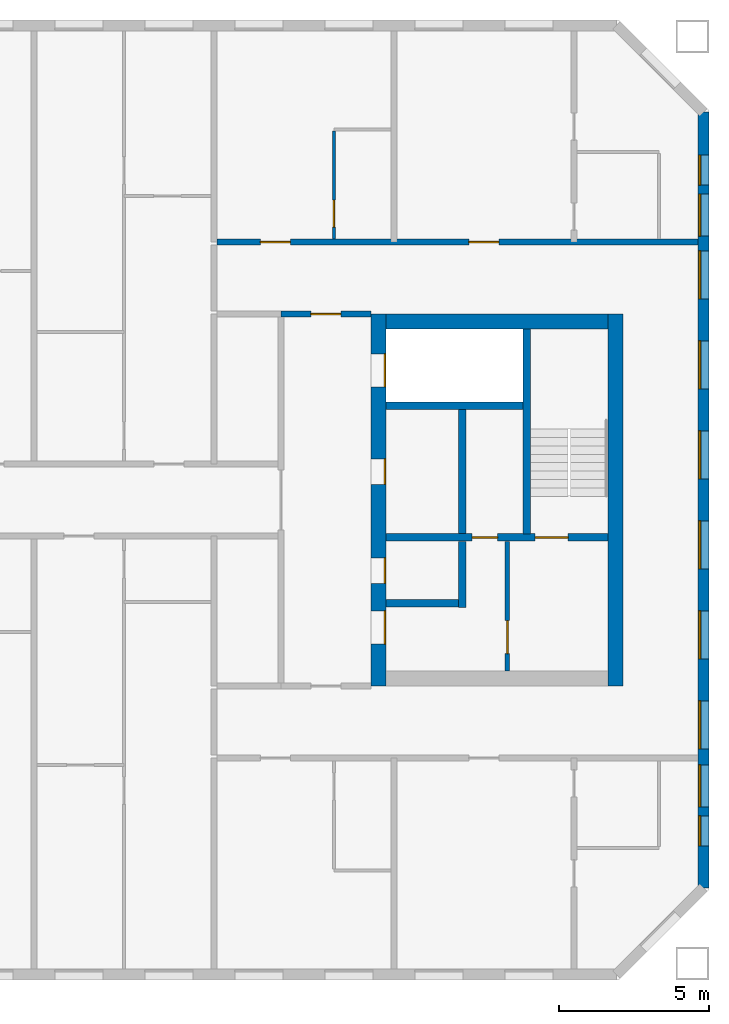
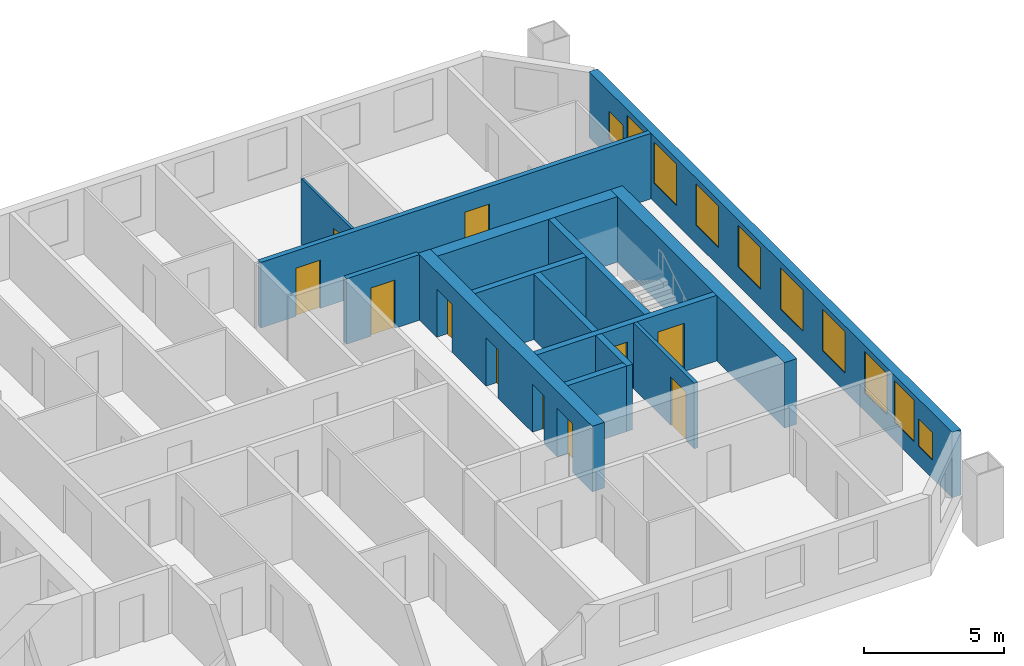
# One storey, part 12 of 15: 14 walls, 11 doors, 10 windows, 21 openings.
"""IFC4 building model written with IfcOpenShell, lengths in metres."""

import ifcopenshell
import ifcopenshell.guid

model = None  # the IFC model being written
_history = None  # IfcOwnerHistory: only IFC2X3 demands one
_inside = {}  # id of a spatial element -> (the spatial element, [elements in it])
_under = {}  # id of a project, library or spatial element -> (it, [spatial elements below it])
_declared = {}  # id of a project -> (the project, [libraries it declares])
_typed = {}  # id of a type object -> (the type object, [elements of that type])
_made_of = {}  # id of a material, layer set ... -> (it, [elements and type objects made of it])


def new_model(schema):
    """Start an empty IFC model of exactly this schema.

    Asked for "IFC4X3", IfcOpenShell would pick the latest addendum, in which some entities
    have other attributes; the version numbers below select the first issue.
    IFC2X3 requires an IfcOwnerHistory on every rooted entity: one is made here for all.
    """
    global model, _history
    if schema == "IFC4X3":
        model = ifcopenshell.file(schema_version=(4, 3, 0, 0))
    else:
        model = ifcopenshell.file(schema=schema)
    _inside.clear()
    _under.clear()
    _declared.clear()
    _typed.clear()
    _made_of.clear()
    _history = None
    if model.schema == "IFC2X3":
        org = make("IfcOrganization", Name="unknown")
        user = make(
            "IfcPersonAndOrganization",
            ThePerson=make("IfcPerson", FamilyName="unknown"),
            TheOrganization=org,
        )
        app = make(
            "IfcApplication",
            ApplicationDeveloper=org,
            Version="unknown",
            ApplicationFullName="unknown",
            ApplicationIdentifier="unknown",
        )
        _history = make(
            "IfcOwnerHistory",
            OwningUser=user,
            OwningApplication=app,
            ChangeAction="ADDED",
            CreationDate=0,
        )
    return model


def make(cls, **values):
    """One entity of the class cls with the attributes given. An attribute that is None is left unset."""
    return model.create_entity(
        cls, **{name: value for name, value in values.items() if value is not None}
    )


def rooted(cls, **values):
    """An entity with a GlobalId (a new one), such as an element, a storey or a relation."""
    return make(cls, GlobalId=ifcopenshell.guid.new(), OwnerHistory=_history, **values)


def si_unit(unit_type, name, prefix=None):
    """IfcSIUnit, for example si_unit("LENGTHUNIT", "METRE", prefix="MILLI")."""
    return make("IfcSIUnit", UnitType=unit_type, Prefix=prefix, Name=name)


def assignment(units):
    """IfcUnitAssignment: the units of a project."""
    return None if units is None else make("IfcUnitAssignment", Units=units)


def point(xyz):
    """IfcCartesianPoint."""
    return None if xyz is None else make("IfcCartesianPoint", Coordinates=xyz)


def direction(xyz):
    """IfcDirection."""
    return None if xyz is None else make("IfcDirection", DirectionRatios=xyz)


def frame(location, z_axis=None, x_axis=None):
    """IfcAxis2Placement3D, a coordinate frame: its origin and axes. An axis left out is left unset."""
    return make(
        "IfcAxis2Placement3D",
        Location=point(location),
        Axis=direction(z_axis),
        RefDirection=direction(x_axis),
    )


def frame_2d(location, x_axis=None):
    """IfcAxis2Placement2D, a coordinate frame in the plane: its origin and x axis."""
    return make(
        "IfcAxis2Placement2D", Location=point(location), RefDirection=direction(x_axis)
    )


def origin():
    """The frame at (0, 0, 0) with its axes left unset."""
    return frame((0.0, 0.0, 0.0))


def place(relative_to, where):
    """IfcLocalPlacement: puts the frame where relative to a parent placement (None: the world)."""
    return make(
        "IfcLocalPlacement", PlacementRelTo=relative_to, RelativePlacement=where
    )


def context(
    kind, dimensions, precision=None, world=None, true_north=None, identifier=None
):
    """IfcGeometricRepresentationContext, for example the 3D "Model" context."""
    return make(
        "IfcGeometricRepresentationContext",
        ContextIdentifier=identifier,
        ContextType=kind,
        CoordinateSpaceDimension=dimensions,
        Precision=precision,
        WorldCoordinateSystem=world,
        TrueNorth=true_north,
    )


def subcontext(parent, identifier, kind, view, scale=None):
    """IfcGeometricRepresentationSubContext, for example "Body" below "Model"."""
    return make(
        "IfcGeometricRepresentationSubContext",
        ContextIdentifier=identifier,
        ContextType=kind,
        ParentContext=parent,
        TargetScale=scale,
        TargetView=view,
    )


def project(units=None, contexts=None):
    """IfcProject with its units and contexts."""
    return rooted(
        "IfcProject",
        Name="project",
        RepresentationContexts=contexts,
        UnitsInContext=assignment(units),
    )


def spatial(cls, under=None, at=None, **own):
    """A site, building, storey or space (cls), placed at a placement, below another one or the project."""
    s = rooted(cls, ObjectPlacement=at, **own)
    if under is not None:
        _under.setdefault(under.id(), (under, []))[1].append(s)
    return s


def profile(cls, at=None, kind="AREA", **sizes):
    """A parametric profile (cls). Its sizes go by their IFC names, for example OverallWidth=200.0."""
    return make(cls, ProfileType=kind, Position=at, **sizes)


def rectangle(**sizes):
    """IfcRectangleProfileDef."""
    return profile("IfcRectangleProfileDef", **sizes)


def extrude(swept, where, along, depth):
    """IfcExtrudedAreaSolid: the profile swept, set in the frame where, extruded along a direction by depth."""
    return make(
        "IfcExtrudedAreaSolid",
        SweptArea=swept,
        Position=where,
        ExtrudedDirection=direction(along),
        Depth=depth,
    )


def shape(context_of_items, identifier, shape_type, items):
    """IfcShapeRepresentation: the items that make up one representation, for example the "Body"."""
    return make(
        "IfcShapeRepresentation",
        ContextOfItems=context_of_items,
        RepresentationIdentifier=identifier,
        RepresentationType=shape_type,
        Items=items,
    )


def material(Name=None, Category=None):
    """IfcMaterial."""
    return make("IfcMaterial", Name=Name, Category=Category)


def layer(
    of_material, thickness, ventilated=None, Name=None, Category=None, Priority=None
):
    """IfcMaterialLayer: one layer of a wall or slab, of a material (None: an air gap)."""
    return make(
        "IfcMaterialLayer",
        Material=of_material,
        LayerThickness=thickness,
        IsVentilated=ventilated,
        Name=Name,
        Category=Category,
        Priority=Priority,
    )


def layer_set(layers, Name=None):
    """IfcMaterialLayerSet."""
    return make("IfcMaterialLayerSet", MaterialLayers=layers, LayerSetName=Name)


def made_of(thing, what):
    """Note that an element or type object is made of a material, layer set ...; save() writes the relation."""
    if what is not None:
        _made_of.setdefault(what.id(), (what, []))[1].append(thing)
    return thing


def type_object(cls, material=None, **own):
    """A type object (cls), such as IfcWallType, which elements share."""
    return made_of(rooted(cls, **own), material)


def element(
    cls,
    number,
    at=None,
    inside=None,
    cuts=None,
    type_object=None,
    material=None,
    context=None,
    identifier="Body",
    shape_type=None,
    held_by="IfcProductDefinitionShape",
    body=None,
    shapes=None,
    **own,
):
    """One element of the class cls, such as IfcWall. Its Tag is "e" and its number.

    at: its placement. inside: the storey or other place that contains it. cuts: it is an
    opening in that element (IfcRelVoidsElement). A single representation is given by context,
    identifier, shape_type and body (its items); several are given by shapes. held_by: the class
    of the entity that holds the representations. save() writes the other relations.
    """
    e = rooted(cls, Tag="e%d" % number, ObjectPlacement=at, **own)
    if body is not None:
        shapes = [shape(context, identifier, shape_type, body)]
    if shapes is not None:
        e.Representation = make(held_by, Representations=shapes)
    if inside is not None:
        _inside.setdefault(inside.id(), (inside, []))[1].append(e)
    if cuts is not None:
        rooted(
            "IfcRelVoidsElement", RelatingBuildingElement=cuts, RelatedOpeningElement=e
        )
    if type_object is not None:
        _typed.setdefault(type_object.id(), (type_object, []))[1].append(e)
    return made_of(e, material)


def fill(opening, filler):
    """IfcRelFillsElement: the door or window that sits in an opening."""
    return rooted(
        "IfcRelFillsElement",
        RelatingOpeningElement=opening,
        RelatedBuildingElement=filler,
    )


def aggregate(whole, parts):
    """IfcRelAggregates: a whole, such as a stair, and the parts it consists of."""
    return rooted("IfcRelAggregates", RelatingObject=whole, RelatedObjects=parts)


def save(model, path):
    """Write the relations noted so far, then the file.

    IfcRelAggregates (storeys below a building ...), IfcRelContainedInSpatialStructure (elements
    in a storey), IfcRelDefinesByType, IfcRelAssociatesMaterial and IfcRelDeclares: one each for
    every whole, place, type object, material and project.
    """
    for whole, parts in _under.values():
        aggregate(whole, parts)
    for where, things in _inside.values():
        rooted(
            "IfcRelContainedInSpatialStructure",
            RelatedElements=things,
            RelatingStructure=where,
        )
    for kind, things in _typed.values():
        rooted("IfcRelDefinesByType", RelatedObjects=things, RelatingType=kind)
    for what, things in _made_of.values():
        rooted("IfcRelAssociatesMaterial", RelatedObjects=things, RelatingMaterial=what)
    for by, libraries in _declared.values():
        rooted("IfcRelDeclares", RelatingContext=by, RelatedDefinitions=libraries)
    model.write(path)


model = new_model("IFC4")

# Units and contexts
model_context = context("Model", 3, precision=1e-05, world=origin(), true_north=direction((0.0, 1.0)))
body_context = subcontext(model_context, "Body", "Model", "MODEL_VIEW")
ifc_project = project(units=[si_unit("LENGTHUNIT", "METRE"), si_unit("AREAUNIT", "SQUARE_METRE"), si_unit("VOLUMEUNIT", "CUBIC_METRE"), si_unit("PLANEANGLEUNIT", "RADIAN"), si_unit("MASSUNIT", "GRAM", prefix="KILO")], contexts=[model_context])

# Site, building, storey
site_placement = place(None, origin())
site = spatial("IfcSite", under=ifc_project, at=site_placement, CompositionType="ELEMENT")
building_placement = place(site_placement, origin())
building = spatial("IfcBuilding", under=site, at=building_placement, Name="Tuart Gate Housing", CompositionType="ELEMENT")
storey_placement = place(building_placement, frame((0.0, 0.0, 148.5)))
storey = spatial("IfcBuildingStorey", under=building, at=storey_placement, Name="L41", CompositionType="ELEMENT", Elevation=148.5)

# Wall, openings, windows
ifc_material_1 = material(Name="Brick", Category="masonry")
ifc_layer_1 = layer(ifc_material_1, 0.360107421875)
ifc_layer_set_1 = layer_set([ifc_layer_1], Name="Brick pier and spandrel wall 360")
wall_type_1 = type_object("IfcWallType", Name="Brick pier and spandrel wall 360", PredefinedType="STANDARD", material=ifc_layer_set_1)
wall_1_placement = place(storey_placement, frame((171.320068359375, 57.07470703125, 0.0), z_axis=(0.0, 0.0, 1.0), x_axis=(0.0, 1.0, 0.0)))
wall_1 = element("IfcWall", 1, at=wall_1_placement, inside=storey, type_object=wall_type_1, Name="External wall B-E L41", PredefinedType="STANDARD", context=body_context, shape_type="SweptSolid", body=[
    extrude(rectangle(XDim=25.850830078125, YDim=0.360107421875, at=frame_2d((12.92529296875, 0.0))), origin(), (0.0, 0.0, 1.0), 2.85009765625),
])
opening_1_placement = place(wall_1_placement, frame((1.39990234375, 0.0, 0.800048828125)))
opening_1 = element("IfcOpeningElement", 2, at=opening_1_placement, cuts=wall_1, Name="Opening W1O", PredefinedType="OPENING", context=body_context, shape_type="SweptSolid", body=[
    extrude(rectangle(XDim=1.0, YDim=1.199951171875, at=frame_2d((0.5, 0.60009765625))), frame((0.0, 0.18994140625, 0.0), z_axis=(0.0, -1.0, 0.0), x_axis=(1.0, 0.0, 0.0)), (0.0, 0.0, 1.0), 0.380126953125),
])
opening_2_placement = place(wall_1_placement, frame((4.62548828125, 0.0, 0.800048828125)))
opening_2 = element("IfcOpeningElement", 3, at=opening_2_placement, cuts=wall_1, Name="Opening W1", PredefinedType="OPENING", context=body_context, shape_type="SweptSolid", body=[
    extrude(rectangle(XDim=1.60009765625, YDim=1.800048828125, at=frame_2d((0.800048828125, 0.89990234375))), frame((0.0, 0.18994140625, 0.0), z_axis=(0.0, -1.0, 0.0), x_axis=(1.0, 0.0, 0.0)), (0.0, 0.0, 1.0), 0.380126953125),
])
opening_3_placement = place(wall_1_placement, frame((7.62548828125, 0.0, 0.800048828125)))
opening_3 = element("IfcOpeningElement", 4, at=opening_3_placement, cuts=wall_1, Name="Opening W1", PredefinedType="OPENING", context=body_context, shape_type="SweptSolid", body=[
    extrude(rectangle(XDim=1.60009765625, YDim=1.800048828125, at=frame_2d((0.800048828125, 0.89990234375))), frame((0.0, 0.18994140625, 0.0), z_axis=(0.0, -1.0, 0.0), x_axis=(1.0, 0.0, 0.0)), (0.0, 0.0, 1.0), 0.380126953125),
])
opening_4_placement = place(wall_1_placement, frame((10.62548828125, 0.0, 0.800048828125)))
opening_4 = element("IfcOpeningElement", 5, at=opening_4_placement, cuts=wall_1, Name="Opening W1", PredefinedType="OPENING", context=body_context, shape_type="SweptSolid", body=[
    extrude(rectangle(XDim=1.60009765625, YDim=1.800048828125, at=frame_2d((0.800048828125, 0.89990234375))), frame((0.0, 0.18994140625, 0.0), z_axis=(0.0, -1.0, 0.0), x_axis=(1.0, 0.0, 0.0)), (0.0, 0.0, 1.0), 0.380126953125),
])
opening_5_placement = place(wall_1_placement, frame((13.62548828125, 0.0, 0.800048828125)))
opening_5 = element("IfcOpeningElement", 6, at=opening_5_placement, cuts=wall_1, Name="Opening W1", PredefinedType="OPENING", context=body_context, shape_type="SweptSolid", body=[
    extrude(rectangle(XDim=1.60009765625, YDim=1.800048828125, at=frame_2d((0.800048828125, 0.89990234375))), frame((0.0, 0.18994140625, 0.0), z_axis=(0.0, -1.0, 0.0), x_axis=(1.0, 0.0, 0.0)), (0.0, 0.0, 1.0), 0.380126953125),
])
opening_6_placement = place(wall_1_placement, frame((16.62548828125, 0.0, 0.800048828125)))
opening_6 = element("IfcOpeningElement", 7, at=opening_6_placement, cuts=wall_1, Name="Opening W1", PredefinedType="OPENING", context=body_context, shape_type="SweptSolid", body=[
    extrude(rectangle(XDim=1.60009765625, YDim=1.800048828125, at=frame_2d((0.800048828125, 0.89990234375))), frame((0.0, 0.18994140625, 0.0), z_axis=(0.0, -1.0, 0.0), x_axis=(1.0, 0.0, 0.0)), (0.0, 0.0, 1.0), 0.380126953125),
])
opening_7_placement = place(wall_1_placement, frame((19.62548828125, 0.0, 0.800048828125)))
opening_7 = element("IfcOpeningElement", 8, at=opening_7_placement, cuts=wall_1, Name="Opening W1", PredefinedType="OPENING", context=body_context, shape_type="SweptSolid", body=[
    extrude(rectangle(XDim=1.60009765625, YDim=1.800048828125, at=frame_2d((0.800048828125, 0.89990234375))), frame((0.0, 0.18994140625, 0.0), z_axis=(0.0, -1.0, 0.0), x_axis=(1.0, 0.0, 0.0)), (0.0, 0.0, 1.0), 0.380126953125),
])
opening_8_placement = place(wall_1_placement, frame((21.725341796875, 0.0, 0.800048828125)))
opening_8 = element("IfcOpeningElement", 9, at=opening_8_placement, cuts=wall_1, Name="Opening W1A", PredefinedType="OPENING", context=body_context, shape_type="SweptSolid", body=[
    extrude(rectangle(XDim=1.39990234375, YDim=1.800048828125, at=frame_2d((0.699951171875, 0.89990234375))), frame((0.0, 0.18994140625, 0.0), z_axis=(0.0, -1.0, 0.0), x_axis=(1.0, 0.0, 0.0)), (0.0, 0.0, 1.0), 0.380126953125),
])
opening_9_placement = place(wall_1_placement, frame((2.699951171875, 0.0, 0.800048828125)))
opening_9 = element("IfcOpeningElement", 10, at=opening_9_placement, cuts=wall_1, Name="Opening W1A", PredefinedType="OPENING", context=body_context, shape_type="SweptSolid", body=[
    extrude(rectangle(XDim=1.39990234375, YDim=1.800048828125, at=frame_2d((0.699951171875, 0.89990234375))), frame((0.0, 0.18994140625, 0.0), z_axis=(0.0, -1.0, 0.0), x_axis=(1.0, 0.0, 0.0)), (0.0, 0.0, 1.0), 0.380126953125),
])
opening_10_placement = place(wall_1_placement, frame((23.42529296875, 0.0, 0.800048828125)))
opening_10 = element("IfcOpeningElement", 11, at=opening_10_placement, cuts=wall_1, Name="Opening W1O", PredefinedType="OPENING", context=body_context, shape_type="SweptSolid", body=[
    extrude(rectangle(XDim=1.0, YDim=1.199951171875, at=frame_2d((0.5, 0.60009765625))), frame((0.0, 0.18994140625, 0.0), z_axis=(0.0, -1.0, 0.0), x_axis=(1.0, 0.0, 0.0)), (0.0, 0.0, 1.0), 0.380126953125),
])
ifc_material_2 = material(Name="Aluminium frame with clear glass", Category="aluminium")
window_type_1 = type_object("IfcWindowType", Name="Punched window 1000 x 1200", PartitioningType="SINGLE_PANEL", PredefinedType="WINDOW", material=ifc_material_2)
window_1_placement = place(opening_1_placement, origin())
window_1 = element("IfcWindow", 12, at=window_1_placement, inside=storey, type_object=window_type_1, Name="Window W1O", OverallHeight=1.199951171875, OverallWidth=1.0, PartitioningType="SINGLE_PANEL", PredefinedType="WINDOW", context=body_context, shape_type="SweptSolid", body=[
    extrude(rectangle(XDim=1.0, YDim=1.199951171875, at=frame_2d((0.5, 0.60009765625))), frame((0.0, 0.150146484375, 0.0), z_axis=(0.0, -1.0, 0.0), x_axis=(1.0, 0.0, 0.0)), (0.0, 0.0, 1.0), 0.06005859375),
])
fill(opening_1, window_1)
window_2_placement = place(opening_10_placement, origin())
window_2 = element("IfcWindow", 13, at=window_2_placement, inside=storey, type_object=window_type_1, Name="Window W1O", OverallHeight=1.199951171875, OverallWidth=1.0, PartitioningType="SINGLE_PANEL", PredefinedType="WINDOW", context=body_context, shape_type="SweptSolid", body=[
    extrude(rectangle(XDim=1.0, YDim=1.199951171875, at=frame_2d((0.5, 0.60009765625))), frame((0.0, 0.150146484375, 0.0), z_axis=(0.0, -1.0, 0.0), x_axis=(1.0, 0.0, 0.0)), (0.0, 0.0, 1.0), 0.06005859375),
])
fill(opening_10, window_2)
ifc_material_3 = material(Name="Aluminium frame with clear glass", Category="aluminium")
window_type_2 = type_object("IfcWindowType", Name="Punched window 1400 x 1800", PartitioningType="SINGLE_PANEL", PredefinedType="WINDOW", material=ifc_material_3)
window_3_placement = place(opening_8_placement, origin())
window_3 = element("IfcWindow", 14, at=window_3_placement, inside=storey, type_object=window_type_2, Name="Window W1A", OverallHeight=1.800048828125, OverallWidth=1.39990234375, PartitioningType="SINGLE_PANEL", PredefinedType="WINDOW", context=body_context, shape_type="SweptSolid", body=[
    extrude(rectangle(XDim=1.39990234375, YDim=1.800048828125, at=frame_2d((0.699951171875, 0.89990234375))), frame((0.0, 0.150146484375, 0.0), z_axis=(0.0, -1.0, 0.0), x_axis=(1.0, 0.0, 0.0)), (0.0, 0.0, 1.0), 0.06005859375),
])
fill(opening_8, window_3)
window_4_placement = place(opening_9_placement, origin())
window_4 = element("IfcWindow", 15, at=window_4_placement, inside=storey, type_object=window_type_2, Name="Window W1A", OverallHeight=1.800048828125, OverallWidth=1.39990234375, PartitioningType="SINGLE_PANEL", PredefinedType="WINDOW", context=body_context, shape_type="SweptSolid", body=[
    extrude(rectangle(XDim=1.39990234375, YDim=1.800048828125, at=frame_2d((0.699951171875, 0.89990234375))), frame((0.0, 0.150146484375, 0.0), z_axis=(0.0, -1.0, 0.0), x_axis=(1.0, 0.0, 0.0)), (0.0, 0.0, 1.0), 0.06005859375),
])
fill(opening_9, window_4)
ifc_material_4 = material(Name="Aluminium frame with clear glass", Category="aluminium")
window_type_3 = type_object("IfcWindowType", Name="Punched window 1600 x 1800", PartitioningType="SINGLE_PANEL", PredefinedType="WINDOW", material=ifc_material_4)
window_5_placement = place(opening_2_placement, origin())
window_5 = element("IfcWindow", 16, at=window_5_placement, inside=storey, type_object=window_type_3, Name="Window W1", OverallHeight=1.800048828125, OverallWidth=1.60009765625, PartitioningType="SINGLE_PANEL", PredefinedType="WINDOW", context=body_context, shape_type="SweptSolid", body=[
    extrude(rectangle(XDim=1.60009765625, YDim=1.800048828125, at=frame_2d((0.800048828125, 0.89990234375))), frame((0.0, 0.150146484375, 0.0), z_axis=(0.0, -1.0, 0.0), x_axis=(1.0, 0.0, 0.0)), (0.0, 0.0, 1.0), 0.06005859375),
])
fill(opening_2, window_5)
window_6_placement = place(opening_3_placement, origin())
window_6 = element("IfcWindow", 17, at=window_6_placement, inside=storey, type_object=window_type_3, Name="Window W1", OverallHeight=1.800048828125, OverallWidth=1.60009765625, PartitioningType="SINGLE_PANEL", PredefinedType="WINDOW", context=body_context, shape_type="SweptSolid", body=[
    extrude(rectangle(XDim=1.60009765625, YDim=1.800048828125, at=frame_2d((0.800048828125, 0.89990234375))), frame((0.0, 0.150146484375, 0.0), z_axis=(0.0, -1.0, 0.0), x_axis=(1.0, 0.0, 0.0)), (0.0, 0.0, 1.0), 0.06005859375),
])
fill(opening_3, window_6)
window_7_placement = place(opening_4_placement, origin())
window_7 = element("IfcWindow", 18, at=window_7_placement, inside=storey, type_object=window_type_3, Name="Window W1", OverallHeight=1.800048828125, OverallWidth=1.60009765625, PartitioningType="SINGLE_PANEL", PredefinedType="WINDOW", context=body_context, shape_type="SweptSolid", body=[
    extrude(rectangle(XDim=1.60009765625, YDim=1.800048828125, at=frame_2d((0.800048828125, 0.89990234375))), frame((0.0, 0.150146484375, 0.0), z_axis=(0.0, -1.0, 0.0), x_axis=(1.0, 0.0, 0.0)), (0.0, 0.0, 1.0), 0.06005859375),
])
fill(opening_4, window_7)
window_8_placement = place(opening_5_placement, origin())
window_8 = element("IfcWindow", 19, at=window_8_placement, inside=storey, type_object=window_type_3, Name="Window W1", OverallHeight=1.800048828125, OverallWidth=1.60009765625, PartitioningType="SINGLE_PANEL", PredefinedType="WINDOW", context=body_context, shape_type="SweptSolid", body=[
    extrude(rectangle(XDim=1.60009765625, YDim=1.800048828125, at=frame_2d((0.800048828125, 0.89990234375))), frame((0.0, 0.150146484375, 0.0), z_axis=(0.0, -1.0, 0.0), x_axis=(1.0, 0.0, 0.0)), (0.0, 0.0, 1.0), 0.06005859375),
])
fill(opening_5, window_8)
window_9_placement = place(opening_6_placement, origin())
window_9 = element("IfcWindow", 20, at=window_9_placement, inside=storey, type_object=window_type_3, Name="Window W1", OverallHeight=1.800048828125, OverallWidth=1.60009765625, PartitioningType="SINGLE_PANEL", PredefinedType="WINDOW", context=body_context, shape_type="SweptSolid", body=[
    extrude(rectangle(XDim=1.60009765625, YDim=1.800048828125, at=frame_2d((0.800048828125, 0.89990234375))), frame((0.0, 0.150146484375, 0.0), z_axis=(0.0, -1.0, 0.0), x_axis=(1.0, 0.0, 0.0)), (0.0, 0.0, 1.0), 0.06005859375),
])
fill(opening_6, window_9)
window_10_placement = place(opening_7_placement, origin())
window_10 = element("IfcWindow", 21, at=window_10_placement, inside=storey, type_object=window_type_3, Name="Window W1", OverallHeight=1.800048828125, OverallWidth=1.60009765625, PartitioningType="SINGLE_PANEL", PredefinedType="WINDOW", context=body_context, shape_type="SweptSolid", body=[
    extrude(rectangle(XDim=1.60009765625, YDim=1.800048828125, at=frame_2d((0.800048828125, 0.89990234375))), frame((0.0, 0.150146484375, 0.0), z_axis=(0.0, -1.0, 0.0), x_axis=(1.0, 0.0, 0.0)), (0.0, 0.0, 1.0), 0.06005859375),
])
fill(opening_7, window_10)

# Wall, opening, door
ifc_material_5 = material(Name="Plasterboard partition")
ifc_layer_2 = layer(ifc_material_5, 0.14990234375)
ifc_layer_set_2 = layer_set([ifc_layer_2], Name="Core partition 150")
wall_type_2 = type_object("IfcWallType", Name="Core partition 150", PredefinedType="PARTITIONING", material=ifc_layer_set_2)
wall_2_placement = place(storey_placement, frame((164.7900390625, 68.625, 0.0), z_axis=(0.0, 0.0, 1.0), x_axis=(0.0, -1.0, 0.0)))
wall_2 = element("IfcWall", 22, at=wall_2_placement, inside=storey, type_object=wall_type_2, Name="Core partition BK.6", PredefinedType="PARTITIONING", context=body_context, shape_type="SweptSolid", body=[
    extrude(rectangle(XDim=4.324951171875, YDim=0.14990234375, at=frame_2d((2.16259765625, 0.0))), origin(), (0.0, 0.0, 1.0), 2.85009765625),
])
opening_11_placement = place(wall_2_placement, frame((2.64990234375, 0.0, 0.0)))
opening_11 = element("IfcOpeningElement", 23, at=opening_11_placement, cuts=wall_2, Name="Opening D1605", PredefinedType="OPENING", context=body_context, shape_type="SweptSolid", body=[
    extrude(rectangle(XDim=1.10009765625, YDim=2.10009765625, at=frame_2d((0.550048828125, 1.050048828125))), frame((0.0, 0.0849609375, 0.0), z_axis=(0.0, -1.0, 0.0), x_axis=(1.0, 0.0, 0.0)), (0.0, 0.0, 1.0), 0.169921875),
])
ifc_material_6 = material(Name="Steel fire door", Category="steel")
door_type_1 = type_object("IfcDoorType", Name="Lobby door 1100 x 2100 RH", OperationType="SINGLE_SWING_RIGHT", PredefinedType="DOOR", material=ifc_material_6)
door_1_placement = place(opening_11_placement, origin())
door_1 = element("IfcDoor", 24, at=door_1_placement, inside=storey, type_object=door_type_1, Name="Smoke lobby door BK.KD", OperationType="SINGLE_SWING_RIGHT", OverallHeight=2.10009765625, OverallWidth=1.10009765625, PredefinedType="DOOR", context=body_context, shape_type="SweptSolid", body=[
    extrude(rectangle(XDim=1.10009765625, YDim=2.10009765625, at=frame_2d((0.550048828125, 1.050048828125))), frame((0.0, 0.02490234375, 0.0), z_axis=(0.0, -1.0, 0.0), x_axis=(1.0, 0.0, 0.0)), (0.0, 0.0, 1.0), 0.050048828125),
])
fill(opening_11, door_1)

# Wall
ifc_material_7 = material(Name="Concrete C40", Category="concrete")
ifc_layer_3 = layer(ifc_material_7, 0.25)
ifc_layer_set_3 = layer_set([ifc_layer_3], Name="Core wall 250 C40")
wall_type_3 = type_object("IfcWallType", Name="Core wall 250 C40", PredefinedType="SHEAR", material=ifc_layer_set_3)
wall_3_placement = place(storey_placement, frame((160.739990234375, 73.14990234375, 0.0), z_axis=(0.0, 0.0, 1.0), x_axis=(1.0, 0.0, 0.0)))
element("IfcWall", 25, at=wall_3_placement, inside=storey, type_object=wall_type_3, Name="Core wall BK.1", PredefinedType="SHEAR", context=body_context, shape_type="SweptSolid", body=[
    extrude(rectangle(XDim=4.574951171875, YDim=0.25, at=frame_2d((2.28759765625, 0.0))), origin(), (0.0, 0.0, 1.0), 2.85009765625),
])

# Wall, openings, doors
wall_4_placement = place(storey_placement, frame((160.739990234375, 68.75, 0.0), z_axis=(0.0, 0.0, 1.0), x_axis=(1.0, 0.0, 0.0)))
wall_4 = element("IfcWall", 26, at=wall_4_placement, inside=storey, type_object=wall_type_3, Name="Core wall BK.2", PredefinedType="SHEAR", context=body_context, shape_type="SweptSolid", body=[
    extrude(rectangle(XDim=7.39990234375, YDim=0.25, at=frame_2d((3.699951171875, 0.0))), origin(), (0.0, 0.0, 1.0), 2.85009765625),
])
opening_12_placement = place(wall_4_placement, frame((4.97509765625, 0.0, 0.0)))
opening_12 = element("IfcOpeningElement", 27, at=opening_12_placement, cuts=wall_4, Name="Opening D1604", PredefinedType="OPENING", context=body_context, shape_type="SweptSolid", body=[
    extrude(rectangle(XDim=1.10009765625, YDim=2.10009765625, at=frame_2d((0.550048828125, 1.050048828125))), frame((0.0, 0.135009765625, 0.0), z_axis=(0.0, -1.0, 0.0), x_axis=(1.0, 0.0, 0.0)), (0.0, 0.0, 1.0), 0.27001953125),
])
opening_13_placement = place(wall_4_placement, frame((2.875, 0.0, 0.0)))
opening_13 = element("IfcOpeningElement", 28, at=opening_13_placement, cuts=wall_4, Name="Opening D1603", PredefinedType="OPENING", context=body_context, shape_type="SweptSolid", body=[
    extrude(rectangle(XDim=0.85009765625, YDim=2.10009765625, at=frame_2d((0.425048828125, 1.050048828125))), frame((0.0, 0.135009765625, 0.0), z_axis=(0.0, -1.0, 0.0), x_axis=(1.0, 0.0, 0.0)), (0.0, 0.0, 1.0), 0.27001953125),
])
ifc_material_8 = material(Name="Steel fire door", Category="steel")
door_type_2 = type_object("IfcDoorType", Name="Riser door 850 x 2100", OperationType="SINGLE_SWING_LEFT", PredefinedType="DOOR", material=ifc_material_8)
door_2_placement = place(opening_13_placement, origin())
door_2 = element("IfcDoor", 29, at=door_2_placement, inside=storey, type_object=door_type_2, Name="Service room door BK.W1", OperationType="SINGLE_SWING_LEFT", OverallHeight=2.10009765625, OverallWidth=0.85009765625, PredefinedType="DOOR", context=body_context, shape_type="SweptSolid", body=[
    extrude(rectangle(XDim=0.85009765625, YDim=2.10009765625, at=frame_2d((0.425048828125, 1.050048828125))), frame((0.0, 0.02490234375, 0.0), z_axis=(0.0, -1.0, 0.0), x_axis=(1.0, 0.0, 0.0)), (0.0, 0.0, 1.0), 0.050048828125),
])
fill(opening_13, door_2)
ifc_material_9 = material(Name="Steel fire door", Category="steel")
door_type_3 = type_object("IfcDoorType", Name="Stair door 1100 x 2100", OperationType="SINGLE_SWING_LEFT", PredefinedType="DOOR", material=ifc_material_9)
door_3_placement = place(opening_12_placement, origin())
door_3 = element("IfcDoor", 30, at=door_3_placement, inside=storey, type_object=door_type_3, Name="Stair door BK.SD", OperationType="SINGLE_SWING_LEFT", OverallHeight=2.10009765625, OverallWidth=1.10009765625, PredefinedType="DOOR", context=body_context, shape_type="SweptSolid", body=[
    extrude(rectangle(XDim=1.10009765625, YDim=2.10009765625, at=frame_2d((0.550048828125, 1.050048828125))), frame((0.0, 0.02490234375, 0.0), z_axis=(0.0, -1.0, 0.0), x_axis=(1.0, 0.0, 0.0)), (0.0, 0.0, 1.0), 0.050048828125),
])
fill(opening_12, door_3)

# Walls
wall_5_placement = place(storey_placement, frame((160.739990234375, 66.550048828125, 0.0), z_axis=(0.0, 0.0, 1.0), x_axis=(1.0, 0.0, 0.0)))
element("IfcWall", 31, at=wall_5_placement, inside=storey, type_object=wall_type_3, Name="Core wall BK.3", PredefinedType="SHEAR", context=body_context, shape_type="SweptSolid", body=[
    extrude(rectangle(XDim=2.425048828125, YDim=0.25, at=frame_2d((1.21240234375, 0.0))), origin(), (0.0, 0.0, 1.0), 2.85009765625),
])
wall_6_placement = place(storey_placement, frame((163.2900390625, 73.02490234375, 0.0), z_axis=(0.0, 0.0, 1.0), x_axis=(0.0, -1.0, 0.0)))
element("IfcWall", 32, at=wall_6_placement, inside=storey, type_object=wall_type_3, Name="Core wall BK.4", PredefinedType="SHEAR", context=body_context, shape_type="SweptSolid", body=[
    extrude(rectangle(XDim=4.14990234375, YDim=0.25, at=frame_2d((2.074951171875, 0.0))), origin(), (0.0, 0.0, 1.0), 2.85009765625),
])
wall_7_placement = place(storey_placement, frame((163.2900390625, 68.625, 0.0), z_axis=(0.0, 0.0, 1.0), x_axis=(0.0, -1.0, 0.0)))
element("IfcWall", 33, at=wall_7_placement, inside=storey, type_object=wall_type_3, Name="Core wall BK.5", PredefinedType="SHEAR", context=body_context, shape_type="SweptSolid", body=[
    extrude(rectangle(XDim=2.199951171875, YDim=0.25, at=frame_2d((1.10009765625, 0.0))), origin(), (0.0, 0.0, 1.0), 2.85009765625),
])
wall_8_placement = place(storey_placement, frame((165.43994140625, 75.699951171875, 0.0), z_axis=(0.0, 0.0, 1.0), x_axis=(0.0, -1.0, 0.0)))
element("IfcWall", 34, at=wall_8_placement, inside=storey, type_object=wall_type_3, Name="Core wall BK.7", PredefinedType="SHEAR", context=body_context, shape_type="SweptSolid", body=[
    extrude(rectangle(XDim=6.824951171875, YDim=0.25, at=frame_2d((3.41259765625, 0.0))), origin(), (0.0, 0.0, 1.0), 2.85009765625),
])

# Wall, openings, doors
ifc_material_10 = material(Name="Concrete C40", Category="concrete")
ifc_layer_4 = layer(ifc_material_10, 0.5)
ifc_layer_set_4 = layer_set([ifc_layer_4], Name="Core wall 500 C40")
wall_type_4 = type_object("IfcWallType", Name="Core wall 500 C40", PredefinedType="SHEAR", material=ifc_layer_set_4)
wall_9_placement = place(storey_placement, frame((160.489990234375, 76.199951171875, 0.0), z_axis=(0.0, 0.0, 1.0), x_axis=(0.0, -1.0, 0.0)))
wall_9 = element("IfcWall", 35, at=wall_9_placement, inside=storey, type_object=wall_type_4, Name="Core wall BK front", PredefinedType="SHEAR", context=body_context, shape_type="SweptSolid", body=[
    extrude(rectangle(XDim=12.39990234375, YDim=0.5, at=frame_2d((6.199951171875, 0.0))), origin(), (0.0, 0.0, 1.0), 2.85009765625),
])
opening_14_placement = place(wall_9_placement, frame((1.324951171875, 0.0, 0.0)))
opening_14 = element("IfcOpeningElement", 36, at=opening_14_placement, cuts=wall_9, Name="Opening LD-FB2", PredefinedType="OPENING", context=body_context, shape_type="SweptSolid", body=[
    extrude(rectangle(XDim=1.10009765625, YDim=2.10009765625, at=frame_2d((0.550048828125, 1.050048828125))), frame((0.0, 0.260009765625, 0.0), z_axis=(0.0, -1.0, 0.0), x_axis=(1.0, 0.0, 0.0)), (0.0, 0.0, 1.0), 0.52001953125),
])
opening_15_placement = place(wall_9_placement, frame((4.824951171875, 0.0, 0.0)))
opening_15 = element("IfcOpeningElement", 37, at=opening_15_placement, cuts=wall_9, Name="Opening D1599", PredefinedType="OPENING", context=body_context, shape_type="SweptSolid", body=[
    extrude(rectangle(XDim=0.85009765625, YDim=2.10009765625, at=frame_2d((0.425048828125, 1.050048828125))), frame((0.0, 0.260009765625, 0.0), z_axis=(0.0, -1.0, 0.0), x_axis=(1.0, 0.0, 0.0)), (0.0, 0.0, 1.0), 0.52001953125),
])
opening_16_placement = place(wall_9_placement, frame((9.89990234375, 0.0, 0.0)))
opening_16 = element("IfcOpeningElement", 38, at=opening_16_placement, cuts=wall_9, Name="Opening D1598", PredefinedType="OPENING", context=body_context, shape_type="SweptSolid", body=[
    extrude(rectangle(XDim=1.10009765625, YDim=2.10009765625, at=frame_2d((0.550048828125, 1.050048828125))), frame((0.0, 0.260009765625, 0.0), z_axis=(0.0, -1.0, 0.0), x_axis=(1.0, 0.0, 0.0)), (0.0, 0.0, 1.0), 0.52001953125),
])
opening_17_placement = place(wall_9_placement, frame((8.125, 0.0, 0.0)))
opening_17 = element("IfcOpeningElement", 39, at=opening_17_placement, cuts=wall_9, Name="Opening D1600", PredefinedType="OPENING", context=body_context, shape_type="SweptSolid", body=[
    extrude(rectangle(XDim=0.85009765625, YDim=2.10009765625, at=frame_2d((0.425048828125, 1.050048828125))), frame((0.0, 0.260009765625, 0.0), z_axis=(0.0, -1.0, 0.0), x_axis=(1.0, 0.0, 0.0)), (0.0, 0.0, 1.0), 0.52001953125),
])
ifc_material_11 = material(Name="Stainless steel", Category="steel")
door_type_4 = type_object("IfcDoorType", Name="Landing door 1100 x 2100", OperationType="DOUBLE_DOOR_SLIDING", PredefinedType="DOOR", material=ifc_material_11)
door_4_placement = place(opening_14_placement, origin())
door_4 = element("IfcDoor", 40, at=door_4_placement, inside=storey, type_object=door_type_4, Name="Lift landing door FB2", OperationType="DOUBLE_DOOR_SLIDING", OverallHeight=2.10009765625, OverallWidth=1.10009765625, PredefinedType="DOOR", context=body_context, shape_type="SweptSolid", body=[
    extrude(rectangle(XDim=1.10009765625, YDim=2.10009765625, at=frame_2d((0.550048828125, 1.050048828125))), frame((0.0, 0.23486328125, 0.0), z_axis=(0.0, -1.0, 0.0), x_axis=(1.0, 0.0, 0.0)), (0.0, 0.0, 1.0), 0.050048828125),
])
fill(opening_14, door_4)
ifc_material_12 = material(Name="Steel fire door", Category="steel")
door_type_5 = type_object("IfcDoorType", Name="Lobby door 1100 x 2100", OperationType="SINGLE_SWING_LEFT", PredefinedType="DOOR", material=ifc_material_12)
door_5_placement = place(opening_16_placement, origin())
door_5 = element("IfcDoor", 41, at=door_5_placement, inside=storey, type_object=door_type_5, Name="Lobby entry door BK.EN", OperationType="SINGLE_SWING_LEFT", OverallHeight=2.10009765625, OverallWidth=1.10009765625, PredefinedType="DOOR", context=body_context, shape_type="SweptSolid", body=[
    extrude(rectangle(XDim=1.10009765625, YDim=2.10009765625, at=frame_2d((0.550048828125, 1.050048828125))), frame((0.0, 0.23486328125, 0.0), z_axis=(0.0, -1.0, 0.0), x_axis=(1.0, 0.0, 0.0)), (0.0, 0.0, 1.0), 0.050048828125),
])
fill(opening_16, door_5)
ifc_material_13 = material(Name="Steel fire door", Category="steel")
door_type_6 = type_object("IfcDoorType", Name="Service door 850 x 2100", OperationType="SINGLE_SWING_LEFT", PredefinedType="DOOR", material=ifc_material_13)
door_6_placement = place(opening_15_placement, origin())
door_6 = element("IfcDoor", 42, at=door_6_placement, inside=storey, type_object=door_type_6, Name="Service room door BK.FR1", OperationType="SINGLE_SWING_LEFT", OverallHeight=2.10009765625, OverallWidth=0.85009765625, PredefinedType="DOOR", context=body_context, shape_type="SweptSolid", body=[
    extrude(rectangle(XDim=0.85009765625, YDim=2.10009765625, at=frame_2d((0.425048828125, 1.050048828125))), frame((0.0, 0.23486328125, 0.0), z_axis=(0.0, -1.0, 0.0), x_axis=(1.0, 0.0, 0.0)), (0.0, 0.0, 1.0), 0.050048828125),
])
fill(opening_15, door_6)
door_7_placement = place(opening_17_placement, origin())
door_7 = element("IfcDoor", 43, at=door_7_placement, inside=storey, type_object=door_type_6, Name="Service room door BK.T1", OperationType="SINGLE_SWING_LEFT", OverallHeight=2.10009765625, OverallWidth=0.85009765625, PredefinedType="DOOR", context=body_context, shape_type="SweptSolid", body=[
    extrude(rectangle(XDim=0.85009765625, YDim=2.10009765625, at=frame_2d((0.425048828125, 1.050048828125))), frame((0.0, 0.23486328125, 0.0), z_axis=(0.0, -1.0, 0.0), x_axis=(1.0, 0.0, 0.0)), (0.0, 0.0, 1.0), 0.050048828125),
])
fill(opening_17, door_7)

# Walls
wall_10_placement = place(storey_placement, frame((168.389892578125, 76.199951171875, 0.0), z_axis=(0.0, 0.0, 1.0), x_axis=(0.0, -1.0, 0.0)))
element("IfcWall", 44, at=wall_10_placement, inside=storey, type_object=wall_type_4, Name="Core wall BK back", PredefinedType="SHEAR", context=body_context, shape_type="SweptSolid", body=[
    extrude(rectangle(XDim=12.39990234375, YDim=0.5, at=frame_2d((6.199951171875, 0.0))), origin(), (0.0, 0.0, 1.0), 2.85009765625),
])
wall_11_placement = place(storey_placement, frame((160.739990234375, 75.949951171875, 0.0), z_axis=(0.0, 0.0, 1.0), x_axis=(1.0, 0.0, 0.0)))
element("IfcWall", 45, at=wall_11_placement, inside=storey, type_object=wall_type_4, Name="Core wall BK south", PredefinedType="SHEAR", context=body_context, shape_type="SweptSolid", body=[
    extrude(rectangle(XDim=7.39990234375, YDim=0.5, at=frame_2d((3.699951171875, 0.0))), origin(), (0.0, 0.0, 1.0), 2.85009765625),
])

# Wall, openings, doors
ifc_material_14 = material(Name="Concrete masonry 15 MPa", Category="masonry")
ifc_layer_5 = layer(ifc_material_14, 0.199951171875)
ifc_layer_set_5 = layer_set([ifc_layer_5], Name="Corridor wall masonry 200")
wall_type_5 = type_object("IfcWallType", Name="Corridor wall masonry 200", PredefinedType="PARTITIONING", material=ifc_layer_set_5)
wall_12_placement = place(storey_placement, frame((155.10009765625, 78.60009765625, 0.0), z_axis=(0.0, 0.0, 1.0), x_axis=(1.0, 0.0, 0.0)))
wall_12 = element("IfcWall", 46, at=wall_12_placement, inside=storey, type_object=wall_type_5, Name="Corridor wall masonry 200", PredefinedType="PARTITIONING", context=body_context, shape_type="SweptSolid", body=[
    extrude(rectangle(XDim=16.039794921875, YDim=0.199951171875, at=frame_2d((8.02001953125, 0.0))), origin(), (0.0, 0.0, 1.0), 2.85009765625),
])
opening_18_placement = place(wall_12_placement, frame((1.449951171875, 0.0, 0.0)))
opening_18 = element("IfcOpeningElement", 47, at=opening_18_placement, cuts=wall_12, Name="Opening D1581", PredefinedType="OPENING", context=body_context, shape_type="SweptSolid", body=[
    extrude(rectangle(XDim=1.0, YDim=2.10009765625, at=frame_2d((0.5, 1.050048828125))), frame((0.0, 0.10986328125, 0.0), z_axis=(0.0, -1.0, 0.0), x_axis=(1.0, 0.0, 0.0)), (0.0, 0.0, 1.0), 0.219970703125),
])
opening_19_placement = place(wall_12_placement, frame((8.39990234375, 0.0, 0.0)))
opening_19 = element("IfcOpeningElement", 48, at=opening_19_placement, cuts=wall_12, Name="Opening D1582", PredefinedType="OPENING", context=body_context, shape_type="SweptSolid", body=[
    extrude(rectangle(XDim=1.0, YDim=2.10009765625, at=frame_2d((0.5, 1.050048828125))), frame((0.0, 0.10986328125, 0.0), z_axis=(0.0, -1.0, 0.0), x_axis=(1.0, 0.0, 0.0)), (0.0, 0.0, 1.0), 0.219970703125),
])
ifc_material_15 = material(Name="Timber door leaf in steel frame", Category="steel")
door_type_7 = type_object("IfcDoorType", Name="Flat entrance door 1000", OperationType="SINGLE_SWING_LEFT", PredefinedType="DOOR", material=ifc_material_15)
door_8_placement = place(opening_19_placement, origin())
door_8 = element("IfcDoor", 49, at=door_8_placement, inside=storey, type_object=door_type_7, Name="Flat entrance door", OperationType="SINGLE_SWING_LEFT", OverallHeight=2.10009765625, OverallWidth=1.0, PredefinedType="DOOR", context=body_context, shape_type="SweptSolid", body=[
    extrude(rectangle(XDim=1.0, YDim=2.10009765625, at=frame_2d((0.5, 1.050048828125))), frame((0.0, 0.02490234375, 0.0), z_axis=(0.0, -1.0, 0.0), x_axis=(1.0, 0.0, 0.0)), (0.0, 0.0, 1.0), 0.050048828125),
])
fill(opening_19, door_8)
ifc_material_16 = material(Name="Timber door leaf in steel frame", Category="steel")
door_type_8 = type_object("IfcDoorType", Name="Flat entrance door 1000 RH", OperationType="SINGLE_SWING_RIGHT", PredefinedType="DOOR", material=ifc_material_16)
door_9_placement = place(opening_18_placement, origin())
door_9 = element("IfcDoor", 50, at=door_9_placement, inside=storey, type_object=door_type_8, Name="Flat entrance door", OperationType="SINGLE_SWING_RIGHT", OverallHeight=2.10009765625, OverallWidth=1.0, PredefinedType="DOOR", context=body_context, shape_type="SweptSolid", body=[
    extrude(rectangle(XDim=1.0, YDim=2.10009765625, at=frame_2d((0.5, 1.050048828125))), frame((0.0, 0.02490234375, 0.0), z_axis=(0.0, -1.0, 0.0), x_axis=(1.0, 0.0, 0.0)), (0.0, 0.0, 1.0), 0.050048828125),
])
fill(opening_18, door_9)

# Wall, opening, door
ifc_material_17 = material(Name="Concrete masonry 15 MPa", Category="masonry")
ifc_layer_6 = layer(ifc_material_17, 0.199951171875)
ifc_layer_set_6 = layer_set([ifc_layer_6], Name="Enclosure wall masonry 200")
wall_type_6 = type_object("IfcWallType", Name="Enclosure wall masonry 200", PredefinedType="PARTITIONING", material=ifc_layer_set_6)
wall_13_placement = place(storey_placement, frame((157.239990234375, 76.199951171875, 0.0), z_axis=(0.0, 0.0, 1.0), x_axis=(1.0, 0.0, 0.0)))
wall_13 = element("IfcWall", 51, at=wall_13_placement, inside=storey, type_object=wall_type_6, Name="Enclosure wall masonry 200", PredefinedType="PARTITIONING", context=body_context, shape_type="SweptSolid", body=[
    extrude(rectangle(XDim=3.0, YDim=0.199951171875, at=frame_2d((1.5, 0.0))), origin(), (0.0, 0.0, 1.0), 2.85009765625),
])
opening_20_placement = place(wall_13_placement, frame((1.0, 0.0, 0.0)))
opening_20 = element("IfcOpeningElement", 52, at=opening_20_placement, cuts=wall_13, Name="Opening D1589", PredefinedType="OPENING", context=body_context, shape_type="SweptSolid", body=[
    extrude(rectangle(XDim=1.0, YDim=2.10009765625, at=frame_2d((0.5, 1.050048828125))), frame((0.0, 0.10986328125, 0.0), z_axis=(0.0, -1.0, 0.0), x_axis=(1.0, 0.0, 0.0)), (0.0, 0.0, 1.0), 0.219970703125),
])
ifc_material_18 = material(Name="Timber door leaf in steel frame", Category="steel")
door_type_9 = type_object("IfcDoorType", Name="Fire door 1000", OperationType="SINGLE_SWING_LEFT", PredefinedType="DOOR", material=ifc_material_18)
door_10_placement = place(opening_20_placement, origin())
door_10 = element("IfcDoor", 53, at=door_10_placement, inside=storey, type_object=door_type_9, Name="Fire door", OperationType="SINGLE_SWING_LEFT", OverallHeight=2.10009765625, OverallWidth=1.0, PredefinedType="DOOR", context=body_context, shape_type="SweptSolid", body=[
    extrude(rectangle(XDim=1.0, YDim=2.10009765625, at=frame_2d((0.5, 1.050048828125))), frame((0.0, 0.02490234375, 0.0), z_axis=(0.0, -1.0, 0.0), x_axis=(1.0, 0.0, 0.0)), (0.0, 0.0, 1.0), 0.050048828125),
])
fill(opening_20, door_10)

ifc_material_19 = material(Name="Gypsum board on steel studs", Category="steel")
ifc_layer_7 = layer(ifc_material_19, 0.10009765625)
ifc_layer_set_7 = layer_set([ifc_layer_7], Name="Partition 100")
wall_type_7 = type_object("IfcWallType", Name="Partition 100", PredefinedType="PARTITIONING", material=ifc_layer_set_7)
wall_14_placement = place(storey_placement, frame((159.0, 78.699951171875, 0.0), z_axis=(0.0, 0.0, 1.0), x_axis=(0.0, 1.0, 0.0)))
wall_14 = element("IfcWall", 54, at=wall_14_placement, inside=storey, type_object=wall_type_7, Name="Partition 100", PredefinedType="PARTITIONING", context=body_context, shape_type="SweptSolid", body=[
    extrude(rectangle(XDim=3.60009765625, YDim=0.10009765625, at=frame_2d((1.800048828125, 0.0))), origin(), (0.0, 0.0, 1.0), 2.85009765625),
])
opening_21_placement = place(wall_14_placement, frame((0.39990234375, 0.0, 0.0)))
opening_21 = element("IfcOpeningElement", 55, at=opening_21_placement, cuts=wall_14, Name="Opening D1577", PredefinedType="OPENING", context=body_context, shape_type="SweptSolid", body=[
    extrude(rectangle(XDim=0.89990234375, YDim=2.10009765625, at=frame_2d((0.449951171875, 1.050048828125))), frame((0.0, 0.06005859375, 0.0), z_axis=(0.0, -1.0, 0.0), x_axis=(1.0, 0.0, 0.0)), (0.0, 0.0, 1.0), 0.1201171875),
])
ifc_material_20 = material(Name="Timber door leaf in steel frame", Category="steel")
door_type_10 = type_object("IfcDoorType", Name="Bathroom door 900 RH", OperationType="SINGLE_SWING_RIGHT", PredefinedType="DOOR", material=ifc_material_20)
door_11_placement = place(opening_21_placement, frame((0.89990234375, 0.0, 0.0), z_axis=(0.0, 0.0, 1.0), x_axis=(-1.0, 0.0, 0.0)))
door_11 = element("IfcDoor", 56, at=door_11_placement, inside=storey, type_object=door_type_10, Name="Bathroom door", OperationType="SINGLE_SWING_RIGHT", OverallHeight=2.10009765625, OverallWidth=0.89990234375, PredefinedType="DOOR", context=body_context, shape_type="SweptSolid", body=[
    extrude(rectangle(XDim=0.89990234375, YDim=2.10009765625, at=frame_2d((0.449951171875, 1.050048828125))), frame((0.0, 0.025146484375, 0.0), z_axis=(0.0, -1.0, 0.0), x_axis=(1.0, 0.0, 0.0)), (0.0, 0.0, 1.0), 0.050048828125),
])
fill(opening_21, door_11)

save(model, "model.ifc")
